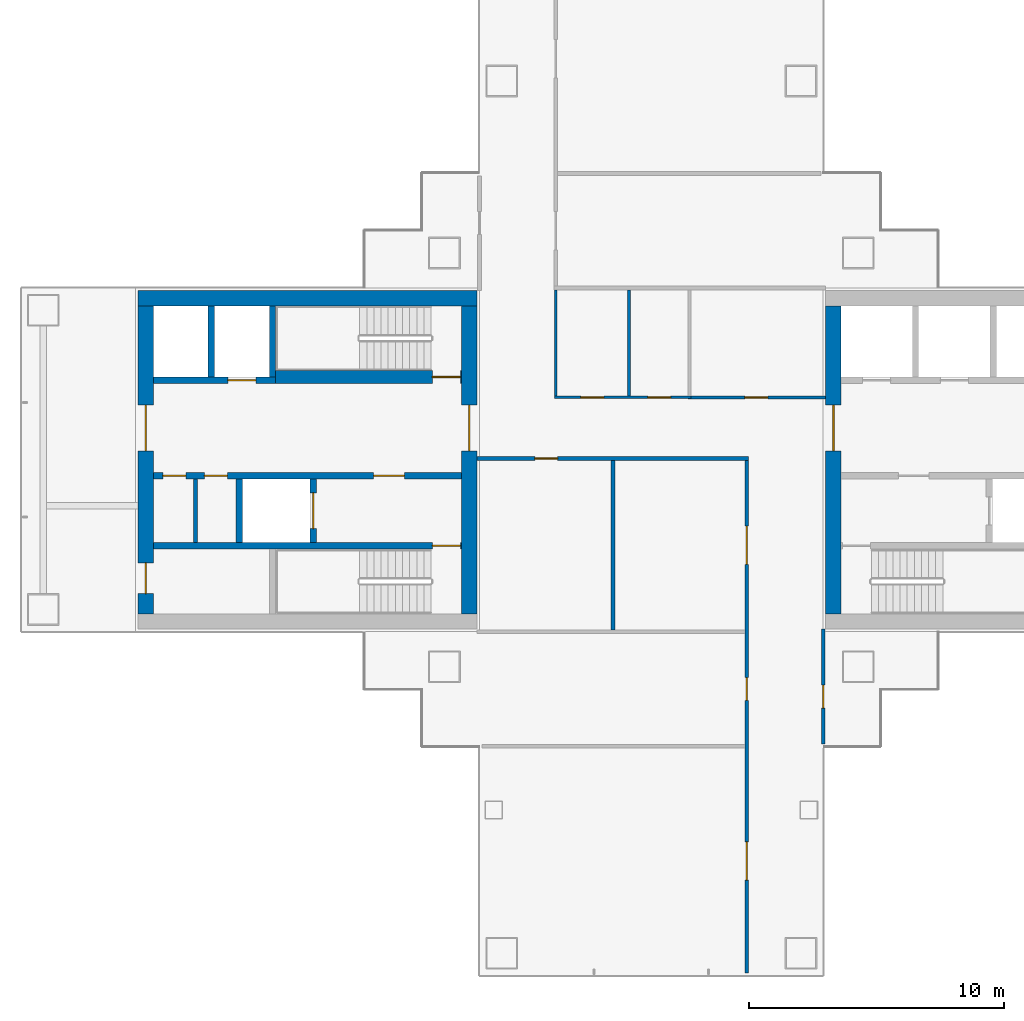
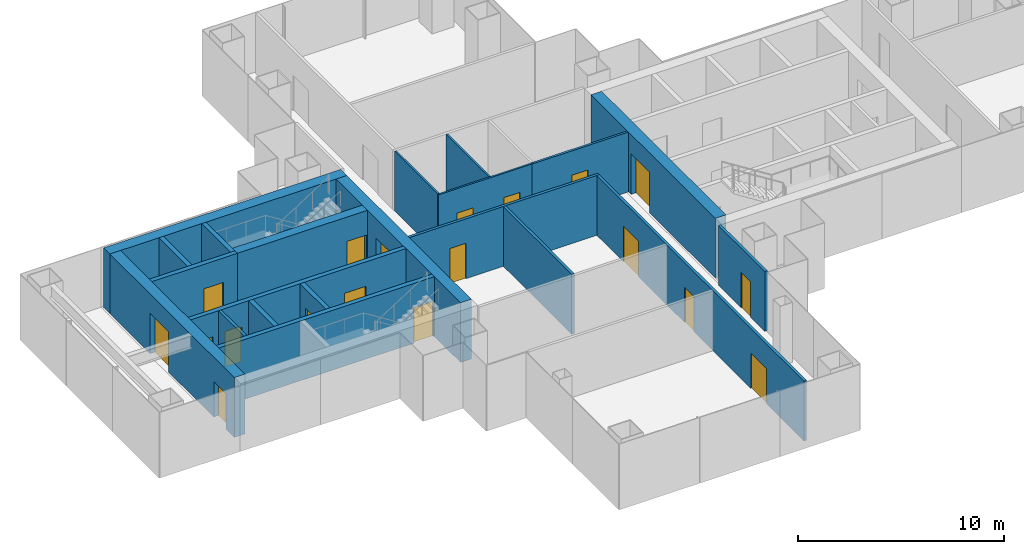
# One storey, part 12 of 20: 21 walls, 19 doors, 19 openings.
"""IFC4 building model written with IfcOpenShell, lengths in metres."""

from ifc_helpers import new_model, si_unit, direction, frame, frame_2d, origin, place, context, subcontext, project, spatial, rectangle, extrude, material, layer, layer_set, type_object, element, fill, save


model = new_model("IFC4")

# Units and contexts
model_context = context("Model", 3, precision=1e-05, world=origin(), true_north=direction((0.0, 1.0)))
body_context = subcontext(model_context, "Body", "Model", "MODEL_VIEW")
ifc_project = project(units=[si_unit("LENGTHUNIT", "METRE"), si_unit("AREAUNIT", "SQUARE_METRE"), si_unit("VOLUMEUNIT", "CUBIC_METRE"), si_unit("PLANEANGLEUNIT", "RADIAN"), si_unit("MASSUNIT", "GRAM", prefix="KILO")], contexts=[model_context])

# Site, building, storey
site_placement = place(None, origin())
site = spatial("IfcSite", under=ifc_project, at=site_placement, CompositionType="ELEMENT")
building_placement = place(site_placement, origin())
building = spatial("IfcBuilding", under=site, at=building_placement, Name="Shamsa Quay Exchange Towers", CompositionType="ELEMENT")
storey_placement = place(building_placement, frame((0.0, 0.0, 109.199951171875)))
storey = spatial("IfcBuildingStorey", under=building, at=storey_placement, Name="L25", CompositionType="ELEMENT", Elevation=109.199951171875)

# Wall, opening, door
ifc_material_1 = material(Name="Concrete C70/85", Category="concrete")
ifc_layer_1 = layer(ifc_material_1, 0.60009765625)
ifc_layer_set_1 = layer_set([ifc_layer_1], Name="CORE WALL 600 C70/85")
wall_type_1 = type_object("IfcWallType", Name="CORE WALL 600 C70/85", PredefinedType="SHEAR", material=ifc_layer_set_1)
wall_1_placement = place(storey_placement, frame((-26.60009765625, 6.050048828125, 0.0), z_axis=(0.0, 0.0, 1.0), x_axis=(0.0, -1.0, 0.0)))
wall_1 = element("IfcWall", 1, at=wall_1_placement, inside=storey, type_object=wall_type_1, Name="Core wall T1A-R11-PF", PredefinedType="SHEAR", context=body_context, shape_type="SweptSolid", body=[
    extrude(rectangle(XDim=12.10009765625, YDim=0.60009765625, at=frame_2d((6.050048828125, 0.0))), origin(), (0.0, 0.0, 1.0), 3.550048828125),
])
opening_1_placement = place(wall_1_placement, frame((3.89990234375, 0.0, 0.0)))
opening_1 = element("IfcOpeningElement", 2, at=opening_1_placement, cuts=wall_1, Name="Opening T1A-R11-LBD01", PredefinedType="OPENING", context=body_context, shape_type="SweptSolid", body=[
    extrude(rectangle(XDim=1.800048828125, YDim=2.39990234375, at=frame_2d((0.89990234375, 1.199951171875))), frame((0.0, 0.31005859375, 0.0), z_axis=(0.0, -1.0, 0.0), x_axis=(1.0, 0.0, 0.0)), (0.0, 0.0, 1.0), 0.6201171875),
])
ifc_material_2 = material(Name="Steel, fire rated", Category="steel")
door_type_1 = type_object("IfcDoorType", Name="LIFT LOBBY DOOR PAIR 1800", OperationType="DOUBLE_DOOR_SINGLE_SWING", PredefinedType="DOOR", material=ifc_material_2)
door_1_placement = place(opening_1_placement, origin())
door_1 = element("IfcDoor", 3, at=door_1_placement, inside=storey, type_object=door_type_1, Name="T1A-R11-LBD01", OperationType="DOUBLE_DOOR_SINGLE_SWING", OverallHeight=2.39990234375, OverallWidth=1.800048828125, PredefinedType="DOOR", context=body_context, shape_type="SweptSolid", body=[
    extrude(rectangle(XDim=1.800048828125, YDim=2.39990234375, at=frame_2d((0.89990234375, 1.199951171875))), frame((0.0, 0.02490234375, 0.0), z_axis=(0.0, -1.0, 0.0), x_axis=(1.0, 0.0, 0.0)), (0.0, 0.0, 1.0), 0.050048828125),
])
fill(opening_1, door_1)

# Wall
wall_2_placement = place(storey_placement, frame((-40.60009765625, 6.35009765625, 0.0), z_axis=(0.0, 0.0, 1.0), x_axis=(-1.0, 0.0, 0.0)))
element("IfcWall", 4, at=wall_2_placement, inside=storey, type_object=wall_type_1, Name="Core wall T1B-R11-PN", PredefinedType="SHEAR", context=body_context, shape_type="SweptSolid", body=[
    extrude(rectangle(XDim=13.2998046875, YDim=0.60009765625, at=frame_2d((6.64990234375, 0.0))), origin(), (0.0, 0.0, 1.0), 3.550048828125),
])

# Wall, opening, door
wall_3_placement = place(storey_placement, frame((-40.89990234375, -6.050048828125, 0.0), z_axis=(0.0, 0.0, 1.0), x_axis=(0.0, 1.0, 0.0)))
wall_3 = element("IfcWall", 5, at=wall_3_placement, inside=storey, type_object=wall_type_1, Name="Core wall T1B-R11-PF", PredefinedType="SHEAR", context=body_context, shape_type="SweptSolid", body=[
    extrude(rectangle(XDim=12.10009765625, YDim=0.60009765625, at=frame_2d((6.050048828125, 0.0))), origin(), (0.0, 0.0, 1.0), 3.550048828125),
])
opening_2_placement = place(wall_3_placement, frame((6.39990234375, 0.0, 0.0)))
opening_2 = element("IfcOpeningElement", 6, at=opening_2_placement, cuts=wall_3, Name="Opening T1B-R11-LBD01", PredefinedType="OPENING", context=body_context, shape_type="SweptSolid", body=[
    extrude(rectangle(XDim=1.800048828125, YDim=2.39990234375, at=frame_2d((0.89990234375, 1.199951171875))), frame((0.0, 0.31005859375, 0.0), z_axis=(0.0, -1.0, 0.0), x_axis=(1.0, 0.0, 0.0)), (0.0, 0.0, 1.0), 0.6201171875),
])
door_2_placement = place(opening_2_placement, origin())
door_2 = element("IfcDoor", 7, at=door_2_placement, inside=storey, type_object=door_type_1, Name="T1B-R11-LBD01", OperationType="DOUBLE_DOOR_SINGLE_SWING", OverallHeight=2.39990234375, OverallWidth=1.800048828125, PredefinedType="DOOR", context=body_context, shape_type="SweptSolid", body=[
    extrude(rectangle(XDim=1.800048828125, YDim=2.39990234375, at=frame_2d((0.89990234375, 1.199951171875))), frame((0.0, 0.02490234375, 0.0), z_axis=(0.0, -1.0, 0.0), x_axis=(1.0, 0.0, 0.0)), (0.0, 0.0, 1.0), 0.050048828125),
])
fill(opening_2, door_2)

# Wall, openings, doors
wall_4_placement = place(storey_placement, frame((-53.60009765625, -6.050048828125, 0.0), z_axis=(0.0, 0.0, 1.0), x_axis=(0.0, 1.0, 0.0)))
wall_4 = element("IfcWall", 8, at=wall_4_placement, inside=storey, type_object=wall_type_1, Name="Core wall T1B-R11-PB", PredefinedType="SHEAR", context=body_context, shape_type="SweptSolid", body=[
    extrude(rectangle(XDim=12.10009765625, YDim=0.60009765625, at=frame_2d((6.050048828125, 0.0))), origin(), (0.0, 0.0, 1.0), 3.550048828125),
])
opening_3_placement = place(wall_4_placement, frame((0.800048828125, 0.0, 0.0)))
opening_3 = element("IfcOpeningElement", 9, at=opening_3_placement, cuts=wall_4, Name="Opening T1B-R11-RD02", PredefinedType="OPENING", context=body_context, shape_type="SweptSolid", body=[
    extrude(rectangle(XDim=1.199951171875, YDim=2.10009765625, at=frame_2d((0.60009765625, 1.050048828125))), frame((0.0, 0.31005859375, 0.0), z_axis=(0.0, -1.0, 0.0), x_axis=(1.0, 0.0, 0.0)), (0.0, 0.0, 1.0), 0.6201171875),
])
opening_4_placement = place(wall_4_placement, frame((6.39990234375, 0.0, 0.0)))
opening_4 = element("IfcOpeningElement", 10, at=opening_4_placement, cuts=wall_4, Name="Opening T1B-R11-LBD03", PredefinedType="OPENING", context=body_context, shape_type="SweptSolid", body=[
    extrude(rectangle(XDim=1.800048828125, YDim=2.39990234375, at=frame_2d((0.89990234375, 1.199951171875))), frame((0.0, 0.31005859375, 0.0), z_axis=(0.0, -1.0, 0.0), x_axis=(1.0, 0.0, 0.0)), (0.0, 0.0, 1.0), 0.6201171875),
])
door_3_placement = place(opening_4_placement, origin())
door_3 = element("IfcDoor", 11, at=door_3_placement, inside=storey, type_object=door_type_1, Name="T1B-R11-LBD03", OperationType="DOUBLE_DOOR_SINGLE_SWING", OverallHeight=2.39990234375, OverallWidth=1.800048828125, PredefinedType="DOOR", context=body_context, shape_type="SweptSolid", body=[
    extrude(rectangle(XDim=1.800048828125, YDim=2.39990234375, at=frame_2d((0.89990234375, 1.199951171875))), frame((0.0, 0.02490234375, 0.0), z_axis=(0.0, -1.0, 0.0), x_axis=(1.0, 0.0, 0.0)), (0.0, 0.0, 1.0), 0.050048828125),
])
fill(opening_4, door_3)
door_type_2 = type_object("IfcDoorType", Name="RISER ACCESS DOOR 1200", OperationType="SINGLE_SWING_LEFT", PredefinedType="DOOR", material=ifc_material_2)
door_4_placement = place(opening_3_placement, origin())
door_4 = element("IfcDoor", 12, at=door_4_placement, inside=storey, type_object=door_type_2, Name="T1B-R11-RD02", OperationType="SINGLE_SWING_LEFT", OverallHeight=2.10009765625, OverallWidth=1.199951171875, PredefinedType="DOOR", context=body_context, shape_type="SweptSolid", body=[
    extrude(rectangle(XDim=1.199951171875, YDim=2.10009765625, at=frame_2d((0.60009765625, 1.050048828125))), frame((0.0, 0.02490234375, 0.0), z_axis=(0.0, -1.0, 0.0), x_axis=(1.0, 0.0, 0.0)), (0.0, 0.0, 1.0), 0.050048828125),
])
fill(opening_3, door_4)

# Wall
ifc_material_3 = material(Name="Gypsum board on steel studs, EI 60", Category="steel")
ifc_layer_2 = layer(ifc_material_3, 0.14990234375)
ifc_layer_set_2 = layer_set([ifc_layer_2], Name="FIRE PARTITION 150")
wall_type_2 = type_object("IfcWallType", Name="FIRE PARTITION 150", PredefinedType="PARTITIONING", material=ifc_layer_set_2)
wall_5_placement = place(storey_placement, frame((-51.64990234375, -3.25, 0.0), z_axis=(0.0, 0.0, 1.0), x_axis=(0.0, 1.0, 0.0)))
element("IfcWall", 13, at=wall_5_placement, inside=storey, type_object=wall_type_2, Name="Partition T1B-R11-EC0", PredefinedType="PARTITIONING", context=body_context, shape_type="SweptSolid", body=[
    extrude(rectangle(XDim=2.5, YDim=0.14990234375, at=frame_2d((1.25, 0.0))), origin(), (0.0, 0.0, 1.0), 3.550048828125),
])

# Wall, opening, door
ifc_material_4 = material(Name="Laminated fire-resisting glass in a metal frame", Category="glass")
ifc_layer_3 = layer(ifc_material_4, 0.125)
ifc_layer_set_3 = layer_set([ifc_layer_3], Name="Glazed partition 125 mm EI 60")
wall_type_3 = type_object("IfcWallType", Name="Glazed partition 125 mm EI 60", PredefinedType="PARTITIONING", material=ifc_layer_set_3)
wall_6_placement = place(storey_placement, frame((-32.3125, 2.4501953125, 0.0)))
wall_6 = element("IfcWall", 14, at=wall_6_placement, inside=storey, type_object=wall_type_3, Name="Partition T1-R11-W04", PredefinedType="PARTITIONING", context=body_context, shape_type="SweptSolid", body=[
    extrude(rectangle(XDim=5.41259765625, YDim=0.125, at=frame_2d((2.706298828125, 0.0))), origin(), (0.0, 0.0, 1.0), 3.550048828125),
])
opening_5_placement = place(wall_6_placement, frame((2.237548828125, 0.0, 0.0)))
opening_5 = element("IfcOpeningElement", 15, at=opening_5_placement, cuts=wall_6, Name="Opening T1-R11-D06", PredefinedType="OPENING", context=body_context, shape_type="SweptSolid", body=[
    extrude(rectangle(XDim=0.89990234375, YDim=2.10009765625, at=frame_2d((0.449951171875, 1.050048828125))), frame((0.0, 0.072509765625, 0.0), z_axis=(0.0, -1.0, 0.0), x_axis=(1.0, 0.0, 0.0)), (0.0, 0.0, 1.0), 0.14501953125),
])
ifc_material_5 = material(Name="Timber door leaf in a metal frame", Category="wood")
door_type_3 = type_object("IfcDoorType", Name="Door 900x2100 FD30S", OperationType="NOTDEFINED", PredefinedType="DOOR", material=ifc_material_5)
door_5_placement = place(opening_5_placement, origin())
door_5 = element("IfcDoor", 16, at=door_5_placement, inside=storey, type_object=door_type_3, Name="Door T1-R11-D06", OperationType="SINGLE_SWING_RIGHT", OverallHeight=2.10009765625, OverallWidth=0.89990234375, PredefinedType="DOOR", context=body_context, shape_type="SweptSolid", body=[
    extrude(rectangle(XDim=0.89990234375, YDim=2.10009765625, at=frame_2d((0.449951171875, 1.050048828125))), frame((0.0, 0.02490234375, 0.0), z_axis=(0.0, -1.0, 0.0), x_axis=(1.0, 0.0, 0.0)), (0.0, 0.0, 1.0), 0.050048828125),
])
fill(opening_5, door_5)

# Wall
ifc_material_6 = material(Name="Gypsum board partition on metal studs")
ifc_layer_4 = layer(ifc_material_6, 0.10009765625)
ifc_layer_set_4 = layer_set([ifc_layer_4], Name="Partition 100 mm NOT RATED")
wall_type_4 = type_object("IfcWallType", Name="Partition 100 mm NOT RATED", PredefinedType="PARTITIONING", material=ifc_layer_set_4)
wall_7_placement = place(storey_placement, frame((-37.5, 6.675048828125, 0.0), z_axis=(0.0, 0.0, 1.0), x_axis=(0.0, -1.0, 0.0)))
element("IfcWall", 17, at=wall_7_placement, inside=storey, type_object=wall_type_4, Name="Partition T1-R11-W02", PredefinedType="PARTITIONING", context=body_context, shape_type="SweptSolid", body=[
    extrude(rectangle(XDim=4.1748046875, YDim=0.10009765625, at=frame_2d((2.08740234375, 0.0))), origin(), (0.0, 0.0, 1.0), 3.550048828125),
])

# Wall, openings, doors
wall_8_placement = place(storey_placement, frame((-37.550048828125, 2.4501953125, 0.0)))
wall_8 = element("IfcWall", 18, at=wall_8_placement, inside=storey, type_object=wall_type_4, Name="Partition T1-R11-W03", PredefinedType="PARTITIONING", context=body_context, shape_type="SweptSolid", body=[
    extrude(rectangle(XDim=5.362548828125, YDim=0.10009765625, at=frame_2d((2.68115234375, 0.0))), origin(), (0.0, 0.0, 1.0), 3.550048828125),
])
opening_6_placement = place(wall_8_placement, frame((1.03759765625, 0.0, 0.0)))
opening_6 = element("IfcOpeningElement", 19, at=opening_6_placement, cuts=wall_8, Name="Opening T1-R11-D02", PredefinedType="OPENING", context=body_context, shape_type="SweptSolid", body=[
    extrude(rectangle(XDim=0.89990234375, YDim=2.10009765625, at=frame_2d((0.449951171875, 1.050048828125))), frame((0.0, 0.06005859375, 0.0), z_axis=(0.0, -1.0, 0.0), x_axis=(1.0, 0.0, 0.0)), (0.0, 0.0, 1.0), 0.1201171875),
])
opening_7_placement = place(wall_8_placement, frame((3.66259765625, 0.0, 0.0)))
opening_7 = element("IfcOpeningElement", 20, at=opening_7_placement, cuts=wall_8, Name="Opening T1-R11-D03", PredefinedType="OPENING", context=body_context, shape_type="SweptSolid", body=[
    extrude(rectangle(XDim=0.89990234375, YDim=2.10009765625, at=frame_2d((0.449951171875, 1.050048828125))), frame((0.0, 0.06005859375, 0.0), z_axis=(0.0, -1.0, 0.0), x_axis=(1.0, 0.0, 0.0)), (0.0, 0.0, 1.0), 0.1201171875),
])
door_type_4 = type_object("IfcDoorType", Name="Door 900x2100 NOT RATED", OperationType="NOTDEFINED", PredefinedType="DOOR", material=ifc_material_5)
door_6_placement = place(opening_6_placement, origin())
door_6 = element("IfcDoor", 21, at=door_6_placement, inside=storey, type_object=door_type_4, Name="Door T1-R11-D02", OperationType="SINGLE_SWING_LEFT", OverallHeight=2.10009765625, OverallWidth=0.89990234375, PredefinedType="DOOR", context=body_context, shape_type="SweptSolid", body=[
    extrude(rectangle(XDim=0.89990234375, YDim=2.10009765625, at=frame_2d((0.449951171875, 1.050048828125))), frame((0.0, 0.02490234375, 0.0), z_axis=(0.0, -1.0, 0.0), x_axis=(1.0, 0.0, 0.0)), (0.0, 0.0, 1.0), 0.050048828125),
])
fill(opening_6, door_6)
door_7_placement = place(opening_7_placement, origin())
door_7 = element("IfcDoor", 22, at=door_7_placement, inside=storey, type_object=door_type_4, Name="Door T1-R11-D03", OperationType="SINGLE_SWING_RIGHT", OverallHeight=2.10009765625, OverallWidth=0.89990234375, PredefinedType="DOOR", context=body_context, shape_type="SweptSolid", body=[
    extrude(rectangle(XDim=0.89990234375, YDim=2.10009765625, at=frame_2d((0.449951171875, 1.050048828125))), frame((0.0, 0.02490234375, 0.0), z_axis=(0.0, -1.0, 0.0), x_axis=(1.0, 0.0, 0.0)), (0.0, 0.0, 1.0), 0.050048828125),
])
fill(opening_7, door_7)

# Wall
wall_9_placement = place(storey_placement, frame((-34.625, 2.500244140625, 0.0), z_axis=(0.0, 0.0, 1.0), x_axis=(0.0, 1.0, 0.0)))
element("IfcWall", 23, at=wall_9_placement, inside=storey, type_object=wall_type_4, Name="Partition T1-R11-W12", PredefinedType="PARTITIONING", context=body_context, shape_type="SweptSolid", body=[
    extrude(rectangle(XDim=4.1748046875, YDim=0.10009765625, at=frame_2d((2.08740234375, 0.0))), origin(), (0.0, 0.0, 1.0), 3.550048828125),
])

# Wall, openings, doors
ifc_layer_5 = layer(ifc_material_6, 0.14990234375)
ifc_layer_set_5 = layer_set([ifc_layer_5], Name="Partition 150 mm EI 60")
wall_type_5 = type_object("IfcWallType", Name="Partition 150 mm EI 60", PredefinedType="PARTITIONING", material=ifc_layer_set_5)
wall_10_placement = place(storey_placement, frame((-30.0, -20.155029296875, 0.0), z_axis=(0.0, 0.0, 1.0), x_axis=(0.0, 1.0, 0.0)))
wall_10 = element("IfcWall", 24, at=wall_10_placement, inside=storey, type_object=wall_type_5, Name="Partition T1-R11-W05", PredefinedType="PARTITIONING", context=body_context, shape_type="SweptSolid", body=[
    extrude(rectangle(XDim=20.1298828125, YDim=0.14990234375, at=frame_2d((10.06494140625, 0.0))), origin(), (0.0, 0.0, 1.0), 3.550048828125),
])
opening_8_placement = place(wall_10_placement, frame((3.655029296875, 0.0, 0.0)))
opening_8 = element("IfcOpeningElement", 25, at=opening_8_placement, cuts=wall_10, Name="Opening T1-R11-D07", PredefinedType="OPENING", context=body_context, shape_type="SweptSolid", body=[
    extrude(rectangle(XDim=1.5, YDim=2.10009765625, at=frame_2d((0.75, 1.050048828125))), frame((0.0, 0.0849609375, 0.0), z_axis=(0.0, -1.0, 0.0), x_axis=(1.0, 0.0, 0.0)), (0.0, 0.0, 1.0), 0.169921875),
])
opening_9_placement = place(wall_10_placement, frame((10.705078125, 0.0, 0.0)))
opening_9 = element("IfcOpeningElement", 26, at=opening_9_placement, cuts=wall_10, Name="Opening T1-R11-D08", PredefinedType="OPENING", context=body_context, shape_type="SweptSolid", body=[
    extrude(rectangle(XDim=0.89990234375, YDim=2.10009765625, at=frame_2d((0.449951171875, 1.050048828125))), frame((0.0, 0.0849609375, 0.0), z_axis=(0.0, -1.0, 0.0), x_axis=(1.0, 0.0, 0.0)), (0.0, 0.0, 1.0), 0.169921875),
])
opening_10_placement = place(wall_10_placement, frame((16.054931640625, 0.0, 0.0)))
opening_10 = element("IfcOpeningElement", 27, at=opening_10_placement, cuts=wall_10, Name="Opening T1-R11-D09", PredefinedType="OPENING", context=body_context, shape_type="SweptSolid", body=[
    extrude(rectangle(XDim=1.5, YDim=2.10009765625, at=frame_2d((0.75, 1.050048828125))), frame((0.0, 0.0849609375, 0.0), z_axis=(0.0, -1.0, 0.0), x_axis=(1.0, 0.0, 0.0)), (0.0, 0.0, 1.0), 0.169921875),
])
door_type_5 = type_object("IfcDoorType", Name="Door 1500x2100 FD30S pair", OperationType="NOTDEFINED", PredefinedType="DOOR", material=ifc_material_5)
door_8_placement = place(opening_8_placement, origin())
door_8 = element("IfcDoor", 28, at=door_8_placement, inside=storey, type_object=door_type_5, Name="Door T1-R11-D07", OperationType="DOUBLE_DOOR_SINGLE_SWING", OverallHeight=2.10009765625, OverallWidth=1.5, PredefinedType="DOOR", context=body_context, shape_type="SweptSolid", body=[
    extrude(rectangle(XDim=1.5, YDim=2.10009765625, at=frame_2d((0.75, 1.050048828125))), frame((0.0, 0.02490234375, 0.0), z_axis=(0.0, -1.0, 0.0), x_axis=(1.0, 0.0, 0.0)), (0.0, 0.0, 1.0), 0.050048828125),
])
fill(opening_8, door_8)
door_9_placement = place(opening_10_placement, origin())
door_9 = element("IfcDoor", 29, at=door_9_placement, inside=storey, type_object=door_type_5, Name="Door T1-R11-D09", OperationType="DOUBLE_DOOR_SINGLE_SWING", OverallHeight=2.10009765625, OverallWidth=1.5, PredefinedType="DOOR", context=body_context, shape_type="SweptSolid", body=[
    extrude(rectangle(XDim=1.5, YDim=2.10009765625, at=frame_2d((0.75, 1.050048828125))), frame((0.0, 0.02490234375, 0.0), z_axis=(0.0, -1.0, 0.0), x_axis=(1.0, 0.0, 0.0)), (0.0, 0.0, 1.0), 0.050048828125),
])
fill(opening_10, door_9)
door_10_placement = place(opening_9_placement, origin())
door_10 = element("IfcDoor", 30, at=door_10_placement, inside=storey, type_object=door_type_3, Name="Door T1-R11-D08", OperationType="SINGLE_SWING_RIGHT", OverallHeight=2.10009765625, OverallWidth=0.89990234375, PredefinedType="DOOR", context=body_context, shape_type="SweptSolid", body=[
    extrude(rectangle(XDim=0.89990234375, YDim=2.10009765625, at=frame_2d((0.449951171875, 1.050048828125))), frame((0.0, 0.02490234375, 0.0), z_axis=(0.0, -1.0, 0.0), x_axis=(1.0, 0.0, 0.0)), (0.0, 0.0, 1.0), 0.050048828125),
])
fill(opening_9, door_10)

# Wall, opening, door
wall_11_placement = place(storey_placement, frame((-29.925048828125, 0.0498046875, 0.0), z_axis=(0.0, 0.0, 1.0), x_axis=(-1.0, 0.0, 0.0)))
wall_11 = element("IfcWall", 31, at=wall_11_placement, inside=storey, type_object=wall_type_5, Name="Partition T1-R11-W06", PredefinedType="PARTITIONING", context=body_context, shape_type="SweptSolid", body=[
    extrude(rectangle(XDim=10.675048828125, YDim=0.14990234375, at=frame_2d((5.33740234375, 0.0))), origin(), (0.0, 0.0, 1.0), 3.550048828125),
])
opening_11_placement = place(wall_11_placement, frame((7.5, 0.0, 0.0)))
opening_11 = element("IfcOpeningElement", 32, at=opening_11_placement, cuts=wall_11, Name="Opening T1-R11-D10", PredefinedType="OPENING", context=body_context, shape_type="SweptSolid", body=[
    extrude(rectangle(XDim=0.89990234375, YDim=2.10009765625, at=frame_2d((0.449951171875, 1.050048828125))), frame((0.0, 0.0849609375, 0.0), z_axis=(0.0, -1.0, 0.0), x_axis=(1.0, 0.0, 0.0)), (0.0, 0.0, 1.0), 0.169921875),
])
door_11_placement = place(opening_11_placement, origin())
door_11 = element("IfcDoor", 33, at=door_11_placement, inside=storey, type_object=door_type_3, Name="Door T1-R11-D10", OperationType="SINGLE_SWING_RIGHT", OverallHeight=2.10009765625, OverallWidth=0.89990234375, PredefinedType="DOOR", context=body_context, shape_type="SweptSolid", body=[
    extrude(rectangle(XDim=0.89990234375, YDim=2.10009765625, at=frame_2d((0.449951171875, 1.050048828125))), frame((0.0, 0.02490234375, 0.0), z_axis=(0.0, -1.0, 0.0), x_axis=(1.0, 0.0, 0.0)), (0.0, 0.0, 1.0), 0.050048828125),
])
fill(opening_11, door_11)

wall_12_placement = place(storey_placement, frame((-27.0, -6.64990234375, 0.0), z_axis=(0.0, 0.0, 1.0), x_axis=(0.0, -1.0, 0.0)))
wall_12 = element("IfcWall", 34, at=wall_12_placement, inside=storey, type_object=wall_type_5, Name="Partition T1-R11-W07", PredefinedType="PARTITIONING", context=body_context, shape_type="SweptSolid", body=[
    extrude(rectangle(XDim=4.505126953125, YDim=0.14990234375, at=frame_2d((2.25244140625, 0.0))), origin(), (0.0, 0.0, 1.0), 3.550048828125),
])
opening_12_placement = place(wall_12_placement, frame((2.199951171875, 0.0, 0.0)))
opening_12 = element("IfcOpeningElement", 35, at=opening_12_placement, cuts=wall_12, Name="Opening T1-R11-D11", PredefinedType="OPENING", context=body_context, shape_type="SweptSolid", body=[
    extrude(rectangle(XDim=0.89990234375, YDim=2.10009765625, at=frame_2d((0.449951171875, 1.050048828125))), frame((0.0, 0.0849609375, 0.0), z_axis=(0.0, -1.0, 0.0), x_axis=(1.0, 0.0, 0.0)), (0.0, 0.0, 1.0), 0.169921875),
])
door_12_placement = place(opening_12_placement, origin())
door_12 = element("IfcDoor", 36, at=door_12_placement, inside=storey, type_object=door_type_3, Name="Door T1-R11-D11", OperationType="SINGLE_SWING_RIGHT", OverallHeight=2.10009765625, OverallWidth=0.89990234375, PredefinedType="DOOR", context=body_context, shape_type="SweptSolid", body=[
    extrude(rectangle(XDim=0.89990234375, YDim=2.10009765625, at=frame_2d((0.449951171875, 1.050048828125))), frame((0.0, 0.02490234375, 0.0), z_axis=(0.0, -1.0, 0.0), x_axis=(1.0, 0.0, 0.0)), (0.0, 0.0, 1.0), 0.050048828125),
])
fill(opening_12, door_12)

# Wall
wall_13_placement = place(storey_placement, frame((-35.25, -6.675048828125, 0.0), z_axis=(0.0, 0.0, 1.0), x_axis=(0.0, 1.0, 0.0)))
element("IfcWall", 37, at=wall_13_placement, inside=storey, type_object=wall_type_5, Name="Partition T1-R11-W16", PredefinedType="PARTITIONING", context=body_context, shape_type="SweptSolid", body=[
    extrude(rectangle(XDim=6.64990234375, YDim=0.14990234375, at=frame_2d((3.324951171875, 0.0))), origin(), (0.0, 0.0, 1.0), 3.550048828125),
])

# Wall, opening, door
ifc_material_7 = material(Name="Concrete C50/60", Category="concrete")
ifc_layer_6 = layer(ifc_material_7, 0.25)
ifc_layer_set_6 = layer_set([ifc_layer_6], Name="SHAFT WALL 250 C50/60")
wall_type_6 = type_object("IfcWallType", Name="SHAFT WALL 250 C50/60", PredefinedType="SHEAR", material=ifc_layer_set_6)
wall_14_placement = place(storey_placement, frame((-41.199951171875, -3.375, 0.0), z_axis=(0.0, 0.0, 1.0), x_axis=(-1.0, 0.0, 0.0)))
wall_14 = element("IfcWall", 38, at=wall_14_placement, inside=storey, type_object=wall_type_6, Name="Shaft wall T1B-R11-STL", PredefinedType="SHEAR", context=body_context, shape_type="SweptSolid", body=[
    extrude(rectangle(XDim=12.10009765625, YDim=0.25, at=frame_2d((6.050048828125, 0.0))), origin(), (0.0, 0.0, 1.0), 3.550048828125),
])
opening_13_placement = place(wall_14_placement, frame((0.050048828125, 0.0, 0.0)))
opening_13 = element("IfcOpeningElement", 39, at=opening_13_placement, cuts=wall_14, Name="Opening T1B-R11-SD04", PredefinedType="OPENING", context=body_context, shape_type="SweptSolid", body=[
    extrude(rectangle(XDim=1.10009765625, YDim=2.10009765625, at=frame_2d((0.550048828125, 1.050048828125))), frame((0.0, 0.135009765625, 0.0), z_axis=(0.0, -1.0, 0.0), x_axis=(1.0, 0.0, 0.0)), (0.0, 0.0, 1.0), 0.27001953125),
])
door_type_6 = type_object("IfcDoorType", Name="STAIR DOOR 1100", OperationType="SINGLE_SWING_LEFT", PredefinedType="DOOR", material=ifc_material_2)
door_13_placement = place(opening_13_placement, origin())
door_13 = element("IfcDoor", 40, at=door_13_placement, inside=storey, type_object=door_type_6, Name="T1B-R11-SD04", OperationType="SINGLE_SWING_LEFT", OverallHeight=2.10009765625, OverallWidth=1.10009765625, PredefinedType="DOOR", context=body_context, shape_type="SweptSolid", body=[
    extrude(rectangle(XDim=1.10009765625, YDim=2.10009765625, at=frame_2d((0.550048828125, 1.050048828125))), frame((0.0, 0.02490234375, 0.0), z_axis=(0.0, -1.0, 0.0), x_axis=(1.0, 0.0, 0.0)), (0.0, 0.0, 1.0), 0.050048828125),
])
fill(opening_13, door_13)

# Wall, openings, doors
wall_15_placement = place(storey_placement, frame((-41.199951171875, -0.625, 0.0), z_axis=(0.0, 0.0, 1.0), x_axis=(-1.0, 0.0, 0.0)))
wall_15 = element("IfcWall", 41, at=wall_15_placement, inside=storey, type_object=wall_type_6, Name="Shaft wall T1B-R11-B", PredefinedType="SHEAR", context=body_context, shape_type="SweptSolid", body=[
    extrude(rectangle(XDim=12.10009765625, YDim=0.25, at=frame_2d((6.050048828125, 0.0))), origin(), (0.0, 0.0, 1.0), 3.550048828125),
])
opening_14_placement = place(wall_15_placement, frame((2.25, 0.0, 0.0)))
opening_14 = element("IfcOpeningElement", 42, at=opening_14_placement, cuts=wall_15, Name="Opening T1B-R11-FD05", PredefinedType="OPENING", context=body_context, shape_type="SweptSolid", body=[
    extrude(rectangle(XDim=1.199951171875, YDim=2.10009765625, at=frame_2d((0.60009765625, 1.050048828125))), frame((0.0, 0.135009765625, 0.0), z_axis=(0.0, -1.0, 0.0), x_axis=(1.0, 0.0, 0.0)), (0.0, 0.0, 1.0), 0.27001953125),
])
opening_15_placement = place(wall_15_placement, frame((9.199951171875, 0.0, 0.0)))
opening_15 = element("IfcOpeningElement", 43, at=opening_15_placement, cuts=wall_15, Name="Opening T1B-R11-SV06", PredefinedType="OPENING", context=body_context, shape_type="SweptSolid", body=[
    extrude(rectangle(XDim=0.89990234375, YDim=2.10009765625, at=frame_2d((0.449951171875, 1.050048828125))), frame((0.0, 0.135009765625, 0.0), z_axis=(0.0, -1.0, 0.0), x_axis=(1.0, 0.0, 0.0)), (0.0, 0.0, 1.0), 0.27001953125),
])
opening_16_placement = place(wall_15_placement, frame((10.824951171875, 0.0, 0.0)))
opening_16 = element("IfcOpeningElement", 44, at=opening_16_placement, cuts=wall_15, Name="Opening T1B-R11-SV07", PredefinedType="OPENING", context=body_context, shape_type="SweptSolid", body=[
    extrude(rectangle(XDim=0.89990234375, YDim=2.10009765625, at=frame_2d((0.449951171875, 1.050048828125))), frame((0.0, 0.135009765625, 0.0), z_axis=(0.0, -1.0, 0.0), x_axis=(1.0, 0.0, 0.0)), (0.0, 0.0, 1.0), 0.27001953125),
])
door_type_7 = type_object("IfcDoorType", Name="FIRE SERVICE LOBBY DOOR 1200", OperationType="SINGLE_SWING_LEFT", PredefinedType="DOOR", material=ifc_material_2)
door_14_placement = place(opening_14_placement, origin())
door_14 = element("IfcDoor", 45, at=door_14_placement, inside=storey, type_object=door_type_7, Name="T1B-R11-FD05", OperationType="SINGLE_SWING_LEFT", OverallHeight=2.10009765625, OverallWidth=1.199951171875, PredefinedType="DOOR", context=body_context, shape_type="SweptSolid", body=[
    extrude(rectangle(XDim=1.199951171875, YDim=2.10009765625, at=frame_2d((0.60009765625, 1.050048828125))), frame((0.0, 0.02490234375, 0.0), z_axis=(0.0, -1.0, 0.0), x_axis=(1.0, 0.0, 0.0)), (0.0, 0.0, 1.0), 0.050048828125),
])
fill(opening_14, door_14)
door_type_8 = type_object("IfcDoorType", Name="SERVICE ROOM DOOR 900", OperationType="SINGLE_SWING_LEFT", PredefinedType="DOOR", material=ifc_material_2)
door_15_placement = place(opening_15_placement, origin())
door_15 = element("IfcDoor", 46, at=door_15_placement, inside=storey, type_object=door_type_8, Name="T1B-R11-SV06", OperationType="SINGLE_SWING_RIGHT", OverallHeight=2.10009765625, OverallWidth=0.89990234375, PredefinedType="DOOR", context=body_context, shape_type="SweptSolid", body=[
    extrude(rectangle(XDim=0.89990234375, YDim=2.10009765625, at=frame_2d((0.449951171875, 1.050048828125))), frame((0.0, 0.02490234375, 0.0), z_axis=(0.0, -1.0, 0.0), x_axis=(1.0, 0.0, 0.0)), (0.0, 0.0, 1.0), 0.050048828125),
])
fill(opening_15, door_15)
door_16_placement = place(opening_16_placement, origin())
door_16 = element("IfcDoor", 47, at=door_16_placement, inside=storey, type_object=door_type_8, Name="T1B-R11-SV07", OperationType="SINGLE_SWING_RIGHT", OverallHeight=2.10009765625, OverallWidth=0.89990234375, PredefinedType="DOOR", context=body_context, shape_type="SweptSolid", body=[
    extrude(rectangle(XDim=0.89990234375, YDim=2.10009765625, at=frame_2d((0.449951171875, 1.050048828125))), frame((0.0, 0.02490234375, 0.0), z_axis=(0.0, -1.0, 0.0), x_axis=(1.0, 0.0, 0.0)), (0.0, 0.0, 1.0), 0.050048828125),
])
fill(opening_16, door_16)

# Wall, opening, door
wall_16_placement = place(storey_placement, frame((-47.02490234375, -3.25, 0.0), z_axis=(0.0, 0.0, 1.0), x_axis=(0.0, 1.0, 0.0)))
wall_16 = element("IfcWall", 48, at=wall_16_placement, inside=storey, type_object=wall_type_6, Name="Shaft wall T1B-R11-FFF", PredefinedType="SHEAR", context=body_context, shape_type="SweptSolid", body=[
    extrude(rectangle(XDim=2.5, YDim=0.25, at=frame_2d((1.25, 0.0))), origin(), (0.0, 0.0, 1.0), 3.550048828125),
])
opening_17_placement = place(wall_16_placement, frame((0.550048828125, 0.0, 0.0)))
opening_17 = element("IfcOpeningElement", 49, at=opening_17_placement, cuts=wall_16, Name="Opening T1B-R11-LDG08", PredefinedType="OPENING", context=body_context, shape_type="SweptSolid", body=[
    extrude(rectangle(XDim=1.39990234375, YDim=2.39990234375, at=frame_2d((0.699951171875, 1.199951171875))), frame((0.0, 0.135009765625, 0.0), z_axis=(0.0, -1.0, 0.0), x_axis=(1.0, 0.0, 0.0)), (0.0, 0.0, 1.0), 0.27001953125),
])
door_type_9 = type_object("IfcDoorType", Name="GOODS LIFT LANDING DOOR 1400", OperationType="SLIDING_TO_LEFT", PredefinedType="DOOR", material=ifc_material_2)
door_17_placement = place(opening_17_placement, origin())
door_17 = element("IfcDoor", 50, at=door_17_placement, inside=storey, type_object=door_type_9, Name="T1B-R11-LDG08", OperationType="SLIDING_TO_LEFT", OverallHeight=2.39990234375, OverallWidth=1.39990234375, PredefinedType="DOOR", context=body_context, shape_type="SweptSolid", body=[
    extrude(rectangle(XDim=1.39990234375, YDim=2.39990234375, at=frame_2d((0.699951171875, 1.199951171875))), frame((0.0, 0.02490234375, 0.0), z_axis=(0.0, -1.0, 0.0), x_axis=(1.0, 0.0, 0.0)), (0.0, 0.0, 1.0), 0.050048828125),
])
fill(opening_17, door_17)

# Wall
wall_17_placement = place(storey_placement, frame((-49.925048828125, -3.25, 0.0), z_axis=(0.0, 0.0, 1.0), x_axis=(0.0, 1.0, 0.0)))
element("IfcWall", 51, at=wall_17_placement, inside=storey, type_object=wall_type_6, Name="Shaft wall T1B-R11-FFB", PredefinedType="SHEAR", context=body_context, shape_type="SweptSolid", body=[
    extrude(rectangle(XDim=2.5, YDim=0.25, at=frame_2d((1.25, 0.0))), origin(), (0.0, 0.0, 1.0), 3.550048828125),
])

# Wall, opening, door
wall_18_placement = place(storey_placement, frame((-48.5, 3.125, 0.0), z_axis=(0.0, 0.0, 1.0), x_axis=(-1.0, 0.0, 0.0)))
wall_18 = element("IfcWall", 52, at=wall_18_placement, inside=storey, type_object=wall_type_6, Name="Shaft wall T1B-R11-N2", PredefinedType="SHEAR", context=body_context, shape_type="SweptSolid", body=[
    extrude(rectangle(XDim=4.800048828125, YDim=0.25, at=frame_2d((2.39990234375, 0.0))), origin(), (0.0, 0.0, 1.0), 3.550048828125),
])
opening_18_placement = place(wall_18_placement, frame((0.77490234375, 0.0, 0.0)))
opening_18 = element("IfcOpeningElement", 53, at=opening_18_placement, cuts=wall_18, Name="Opening T1B-R11-LD10", PredefinedType="OPENING", context=body_context, shape_type="SweptSolid", body=[
    extrude(rectangle(XDim=1.10009765625, YDim=2.10009765625, at=frame_2d((0.550048828125, 1.050048828125))), frame((0.0, 0.135009765625, 0.0), z_axis=(0.0, -1.0, 0.0), x_axis=(1.0, 0.0, 0.0)), (0.0, 0.0, 1.0), 0.27001953125),
])
door_type_10 = type_object("IfcDoorType", Name="LANDING DOOR 1100", OperationType="SLIDING_TO_LEFT", PredefinedType="DOOR", material=ifc_material_2)
door_18_placement = place(opening_18_placement, origin())
door_18 = element("IfcDoor", 54, at=door_18_placement, inside=storey, type_object=door_type_10, Name="T1B-R11-LD10", OperationType="SLIDING_TO_LEFT", OverallHeight=2.10009765625, OverallWidth=1.10009765625, PredefinedType="DOOR", context=body_context, shape_type="SweptSolid", body=[
    extrude(rectangle(XDim=1.10009765625, YDim=2.10009765625, at=frame_2d((0.550048828125, 1.050048828125))), frame((0.0, 0.02490234375, 0.0), z_axis=(0.0, -1.0, 0.0), x_axis=(1.0, 0.0, 0.0)), (0.0, 0.0, 1.0), 0.050048828125),
])
fill(opening_18, door_18)

# Walls
for number, where, z_axis, x_axis, name in (
    (55, (-48.625, 3.25, 0.0), (0.0, 0.0, 1.0), (0.0, 1.0, 0.0), "Shaft wall T1B-R11-STF2"),
    (56, (-51.02490234375, 3.25, 0.0), (0.0, 0.0, 1.0), (0.0, 1.0, 0.0), "Shaft wall T1B-R11-D0"),
):
    element("IfcWall", number, at=place(storey_placement, frame(where, z_axis=z_axis, x_axis=x_axis)), inside=storey, type_object=wall_type_6, Name=name, PredefinedType="SHEAR", context=body_context, shape_type="SweptSolid", body=[
        extrude(rectangle(XDim=2.800048828125, YDim=0.25, at=frame_2d((1.39990234375, 0.0))), origin(), (0.0, 0.0, 1.0), 3.550048828125),
    ])

# Wall, opening, door
ifc_layer_7 = layer(ifc_material_7, 0.5)
ifc_layer_set_7 = layer_set([ifc_layer_7], Name="SHAFT WALL 500 C50/60")
wall_type_7 = type_object("IfcWallType", Name="SHAFT WALL 500 C50/60", PredefinedType="SHEAR", material=ifc_layer_set_7)
wall_19_placement = place(storey_placement, frame((-48.5, 3.25, 0.0)))
wall_19 = element("IfcWall", 57, at=wall_19_placement, inside=storey, type_object=wall_type_7, Name="Shaft wall T1B-R11-N", PredefinedType="SHEAR", context=body_context, shape_type="SweptSolid", body=[
    extrude(rectangle(XDim=7.300048828125, YDim=0.5, at=frame_2d((3.64990234375, 0.0))), origin(), (0.0, 0.0, 1.0), 3.550048828125),
])
opening_19_placement = place(wall_19_placement, frame((6.14990234375, 0.0, 0.0)))
opening_19 = element("IfcOpeningElement", 58, at=opening_19_placement, cuts=wall_19, Name="Opening T1B-R11-SD09", PredefinedType="OPENING", context=body_context, shape_type="SweptSolid", body=[
    extrude(rectangle(XDim=1.10009765625, YDim=2.10009765625, at=frame_2d((0.550048828125, 1.050048828125))), frame((0.0, 0.260009765625, 0.0), z_axis=(0.0, -1.0, 0.0), x_axis=(1.0, 0.0, 0.0)), (0.0, 0.0, 1.0), 0.52001953125),
])
door_19_placement = place(opening_19_placement, origin())
door_19 = element("IfcDoor", 59, at=door_19_placement, inside=storey, type_object=door_type_6, Name="T1B-R11-SD09", OperationType="SINGLE_SWING_RIGHT", OverallHeight=2.10009765625, OverallWidth=1.10009765625, PredefinedType="DOOR", context=body_context, shape_type="SweptSolid", body=[
    extrude(rectangle(XDim=1.10009765625, YDim=2.10009765625, at=frame_2d((0.550048828125, 1.050048828125))), frame((0.0, 0.02490234375, 0.0), z_axis=(0.0, -1.0, 0.0), x_axis=(1.0, 0.0, 0.0)), (0.0, 0.0, 1.0), 0.050048828125),
])
fill(opening_19, door_19)

save(model, "model.ifc")
